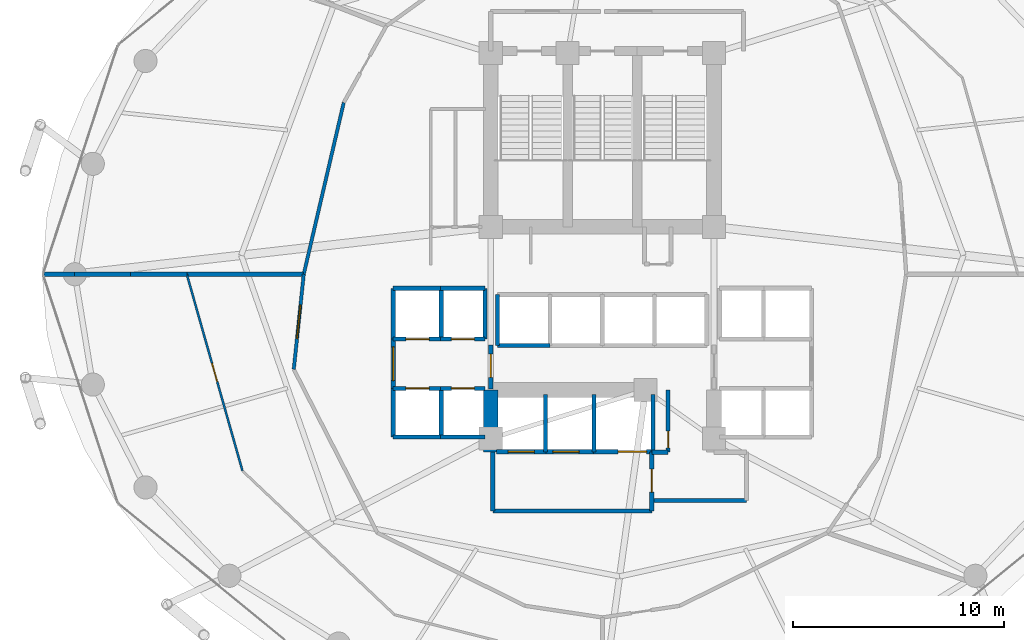
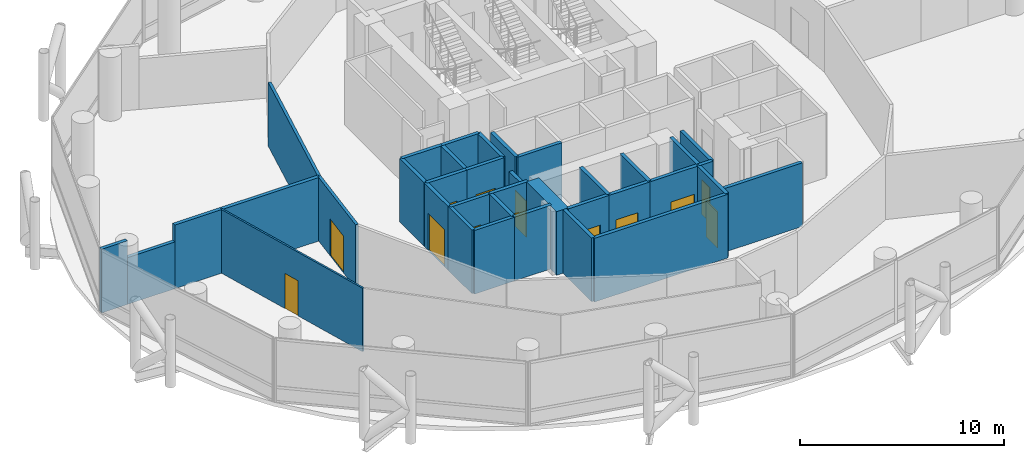
# One storey, part 21 of 24: 37 walls, 13 doors, 13 openings.
"""IFC4 building model written with IfcOpenShell, lengths in metres."""

from ifc_helpers import new_model, si_unit, direction, frame, frame_2d, origin, place, context, subcontext, project, spatial, rectangle, extrude, material, layer, layer_set, type_object, element, fill, save


model = new_model("IFC4")

# Units and contexts
model_context = context("Model", 3, precision=1e-05, world=origin(), true_north=direction((0.0, 1.0)))
body_context = subcontext(model_context, "Body", "Model", "MODEL_VIEW")
ifc_project = project(units=[si_unit("LENGTHUNIT", "METRE"), si_unit("AREAUNIT", "SQUARE_METRE"), si_unit("VOLUMEUNIT", "CUBIC_METRE"), si_unit("PLANEANGLEUNIT", "RADIAN"), si_unit("MASSUNIT", "GRAM", prefix="KILO")], contexts=[model_context])

# Site, building, storey
site_placement = place(None, origin())
site = spatial("IfcSite", under=ifc_project, at=site_placement, CompositionType="ELEMENT")
building_placement = place(site_placement, origin())
building = spatial("IfcBuilding", under=site, at=building_placement, Name="Nuhasar Tower", CompositionType="ELEMENT")
storey_placement = place(building_placement, frame((0.0, 0.0, 77.699951171875)))
storey = spatial("IfcBuildingStorey", under=building, at=storey_placement, Name="L18", CompositionType="ELEMENT", Elevation=77.699951171875)

# Walls
ifc_material_1 = material(Name="Concrete C65/80", Category="concrete")
ifc_layer_1 = layer(ifc_material_1, 0.699951171875)
ifc_layer_set_1 = layer_set([ifc_layer_1], Name="Concrete C65/80")
wall_type_1 = type_object("IfcWallType", Name="WL-CORE-700", PredefinedType="SHEAR", material=ifc_layer_set_1)
wall_1_placement = place(storey_placement, frame((33.699951171875, 18.35009765625, 0.0), z_axis=(0.0, 0.0, 1.0), x_axis=(0.0, 1.0, 0.0)))
element("IfcWall", 1, at=wall_1_placement, inside=storey, type_object=wall_type_1, Name="L18 Core Shear Wall CW-SW CW-700", PredefinedType="SHEAR", context=body_context, shape_type="SweptSolid", body=[
    extrude(rectangle(XDim=2.949951171875, YDim=0.699951171875, at=frame_2d((1.47509765625, 0.0))), origin(), (0.0, 0.0, 1.0), 3.800048828125),
])
ifc_material_2 = material(Name="Gypsum Board", Category="gypsum")
ifc_layer_2 = layer(ifc_material_2, 0.159912109375)
ifc_layer_set_2 = layer_set([ifc_layer_2], Name="Gypsum Board")
wall_type_2 = type_object("IfcWallType", Name="WL-CORR-160", PredefinedType="PARTITIONING", material=ifc_layer_set_2)
wall_2_placement = place(storey_placement, frame((26.719970703125, 34.949951171875, 0.0), z_axis=(0.0, 0.0, 1.0), x_axis=(-0.227032248212, -0.973887241046, 0.0)))
element("IfcWall", 2, at=wall_2_placement, inside=storey, type_object=wall_type_2, Name="L18 Interior Partition CORR-20", PredefinedType="PARTITIONING", context=body_context, shape_type="SweptSolid", body=[
    extrude(rectangle(XDim=8.368408203125, YDim=0.159912109375, at=frame_2d((4.18408203125, 0.0))), origin(), (0.0, 0.0, 1.0), 3.800048828125),
])

# Wall, opening, door
wall_3_placement = place(storey_placement, frame((24.346923828125, 22.287109375, 0.0), z_axis=(0.0, 0.0, 1.0), x_axis=(0.10427027099, 0.994548998586, 0.0)))
wall_3 = element("IfcWall", 3, at=wall_3_placement, inside=storey, type_object=wall_type_2, Name="L18 Interior Partition CORR-24", PredefinedType="PARTITIONING", context=body_context, shape_type="SweptSolid", body=[
    extrude(rectangle(XDim=4.53759765625, YDim=0.159912109375, at=frame_2d((2.268798828125, 0.0))), origin(), (0.0, 0.0, 1.0), 3.800048828125),
])
opening_1_placement = place(wall_3_placement, frame((1.468994140625, 0.0, 0.0)))
opening_1 = element("IfcOpeningElement", 4, at=opening_1_placement, cuts=wall_3, Name="Opening DC-01", PredefinedType="OPENING", context=body_context, shape_type="SweptSolid", body=[
    extrude(rectangle(XDim=1.60009765625, YDim=2.199951171875, at=frame_2d((0.800048828125, 1.10009765625))), frame((0.0, 0.08984375, 0.0), z_axis=(0.0, -1.0, 0.0), x_axis=(1.0, 0.0, 0.0)), (0.0, 0.0, 1.0), 0.179931640625),
])
ifc_material_3 = material(Name="Steel S355", Category="steel")
door_type_1 = type_object("IfcDoorType", Name="DR-CORR-FD60-1600", OperationType="DOUBLE_DOOR_SINGLE_SWING", PredefinedType="DOOR", material=ifc_material_3)
door_1_placement = place(opening_1_placement, origin())
door_1 = element("IfcDoor", 5, at=door_1_placement, inside=storey, type_object=door_type_1, Name="L18 West Software Engineering Office Entry Door", OperationType="DOUBLE_DOOR_SINGLE_SWING", OverallHeight=2.199951171875, OverallWidth=1.60009765625, PredefinedType="DOOR", context=body_context, shape_type="SweptSolid", body=[
    extrude(rectangle(XDim=1.60009765625, YDim=2.199951171875, at=frame_2d((0.800048828125, 1.10009765625))), frame((0.0, 0.02490234375, 0.0), z_axis=(0.0, -1.0, 0.0), x_axis=(1.0, 0.0, 0.0)), (0.0, 0.0, 1.0), 0.050048828125),
])
fill(opening_1, door_1)

ifc_material_4 = material(Name="Concrete C45/55", Category="concrete")
ifc_layer_3 = layer(ifc_material_4, 0.199951171875)
ifc_layer_set_3 = layer_set([ifc_layer_3], Name="Concrete C45/55")
wall_type_3 = type_object("IfcWallType", Name="WL-LOBBY-200", PredefinedType="SOLIDWALL", material=ifc_layer_set_3)
wall_4_placement = place(storey_placement, frame((29.070068359375, 21.3798828125, 0.0), z_axis=(0.0, 0.0, 1.0), x_axis=(0.0, 1.0, 0.0)))
wall_4 = element("IfcWall", 6, at=wall_4_placement, inside=storey, type_object=wall_type_3, Name="L18 Interior Partition LLBL-W", PredefinedType="SOLIDWALL", context=body_context, shape_type="SweptSolid", body=[
    extrude(rectangle(XDim=2.340087890625, YDim=0.199951171875, at=frame_2d((1.169921875, 0.0))), origin(), (0.0, 0.0, 1.0), 3.800048828125),
])
opening_2_placement = place(wall_4_placement, frame((0.3701171875, 0.0, 0.0)))
opening_2 = element("IfcOpeningElement", 7, at=opening_2_placement, cuts=wall_4, Name="Opening DC-01", PredefinedType="OPENING", context=body_context, shape_type="SweptSolid", body=[
    extrude(rectangle(XDim=1.60009765625, YDim=2.199951171875, at=frame_2d((0.800048828125, 1.10009765625))), frame((0.0, 0.10986328125, 0.0), z_axis=(0.0, -1.0, 0.0), x_axis=(1.0, 0.0, 0.0)), (0.0, 0.0, 1.0), 0.219970703125),
])
door_2_placement = place(opening_2_placement, origin())
door_2 = element("IfcDoor", 8, at=door_2_placement, inside=storey, type_object=door_type_1, Name="L18 Low-Rise Lift Lobby West Entry", OperationType="DOUBLE_DOOR_SINGLE_SWING", OverallHeight=2.199951171875, OverallWidth=1.60009765625, PredefinedType="DOOR", context=body_context, shape_type="SweptSolid", body=[
    extrude(rectangle(XDim=1.60009765625, YDim=2.199951171875, at=frame_2d((0.800048828125, 1.10009765625))), frame((0.0, 0.02490234375, 0.0), z_axis=(0.0, -1.0, 0.0), x_axis=(1.0, 0.0, 0.0)), (0.0, 0.0, 1.0), 0.050048828125),
])
fill(opening_2, door_2)

wall_5_placement = place(storey_placement, frame((33.699951171875, 21.35009765625, 0.0), z_axis=(0.0, 0.0, 1.0), x_axis=(0.0, 1.0, 0.0)))
wall_5 = element("IfcWall", 9, at=wall_5_placement, inside=storey, type_object=wall_type_3, Name="L18 Interior Partition LLBH-W", PredefinedType="SOLIDWALL", context=body_context, shape_type="SweptSolid", body=[
    extrude(rectangle(XDim=2.099853515625, YDim=0.199951171875, at=frame_2d((1.0498046875, 0.0))), origin(), (0.0, 0.0, 1.0), 3.02001953125),
])
opening_3_placement = place(wall_5_placement, frame((0.550048828125, 0.0, 0.0)))
opening_3 = element("IfcOpeningElement", 10, at=opening_3_placement, cuts=wall_5, Name="Opening DS-02", PredefinedType="OPENING", context=body_context, shape_type="SweptSolid", body=[
    extrude(rectangle(XDim=1.10009765625, YDim=2.14990234375, at=frame_2d((0.550048828125, 1.074951171875))), frame((0.0, 0.10986328125, 0.0), z_axis=(0.0, -1.0, 0.0), x_axis=(1.0, 0.0, 0.0)), (0.0, 0.0, 1.0), 0.219970703125),
])
door_type_2 = type_object("IfcDoorType", Name="DR-FFL-FD120-1100", OperationType="NOTDEFINED", PredefinedType="DOOR", material=ifc_material_3)
door_3_placement = place(opening_3_placement, origin())
door_3 = element("IfcDoor", 11, at=door_3_placement, inside=storey, type_object=door_type_2, Name="L18 High-Rise Lobby West Door", OperationType="SINGLE_SWING_RIGHT", OverallHeight=2.14990234375, OverallWidth=1.10009765625, PredefinedType="DOOR", context=body_context, shape_type="SweptSolid", body=[
    extrude(rectangle(XDim=1.10009765625, YDim=2.14990234375, at=frame_2d((0.550048828125, 1.074951171875))), frame((0.0, 0.02490234375, 0.0), z_axis=(0.0, -1.0, 0.0), x_axis=(1.0, 0.0, 0.0)), (0.0, 0.0, 1.0), 0.050048828125),
])
fill(opening_3, door_3)

# Walls
wall_6_placement = place(storey_placement, frame((33.800048828125, 15.550048828125, 0.0), z_axis=(0.0, 0.0, 1.0), x_axis=(1.0, 0.0, 0.0)))
element("IfcWall", 12, at=wall_6_placement, inside=storey, type_object=wall_type_3, Name="L18 Interior Partition FFL-S", PredefinedType="SOLIDWALL", context=body_context, shape_type="SweptSolid", body=[
    extrude(rectangle(XDim=7.550048828125, YDim=0.199951171875, at=frame_2d((3.77490234375, 0.0))), origin(), (0.0, 0.0, 1.0), 3.800048828125),
])
wall_7_placement = place(storey_placement, frame((33.800048828125, 15.550048828125, 0.0), z_axis=(0.0, 0.0, 1.0), x_axis=(0.0, 1.0, 0.0)))
element("IfcWall", 13, at=wall_7_placement, inside=storey, type_object=wall_type_3, Name="L18 Interior Partition FFL-W", PredefinedType="SOLIDWALL", context=body_context, shape_type="SweptSolid", body=[
    extrude(rectangle(XDim=2.800048828125, YDim=0.199951171875, at=frame_2d((1.39990234375, 0.0))), origin(), (0.0, 0.0, 1.0), 3.800048828125),
])

# Wall, opening, door
wall_8_placement = place(storey_placement, frame((41.35009765625, 15.550048828125, 0.0), z_axis=(0.0, 0.0, 1.0), x_axis=(0.0, 1.0, 0.0)))
wall_8 = element("IfcWall", 14, at=wall_8_placement, inside=storey, type_object=wall_type_3, Name="L18 Interior Partition FFL-E", PredefinedType="SOLIDWALL", context=body_context, shape_type="SweptSolid", body=[
    extrude(rectangle(XDim=2.800048828125, YDim=0.199951171875, at=frame_2d((1.39990234375, 0.0))), origin(), (0.0, 0.0, 1.0), 3.800048828125),
])
opening_4_placement = place(wall_8_placement, frame((0.89990234375, 0.0, 0.0)))
opening_4 = element("IfcOpeningElement", 15, at=opening_4_placement, cuts=wall_8, Name="Opening DS-02", PredefinedType="OPENING", context=body_context, shape_type="SweptSolid", body=[
    extrude(rectangle(XDim=1.10009765625, YDim=2.14990234375, at=frame_2d((0.550048828125, 1.074951171875))), frame((0.0, 0.10986328125, 0.0), z_axis=(0.0, -1.0, 0.0), x_axis=(1.0, 0.0, 0.0)), (0.0, 0.0, 1.0), 0.219970703125),
])
door_4_placement = place(opening_4_placement, origin())
door_4 = element("IfcDoor", 16, at=door_4_placement, inside=storey, type_object=door_type_2, Name="L18 Firefighting Lobby Door", OperationType="SINGLE_SWING_RIGHT", OverallHeight=2.14990234375, OverallWidth=1.10009765625, PredefinedType="DOOR", context=body_context, shape_type="SweptSolid", body=[
    extrude(rectangle(XDim=1.10009765625, YDim=2.14990234375, at=frame_2d((0.550048828125, 1.074951171875))), frame((0.0, 0.02490234375, 0.0), z_axis=(0.0, -1.0, 0.0), x_axis=(1.0, 0.0, 0.0)), (0.0, 0.0, 1.0), 0.050048828125),
])
fill(opening_4, door_4)

# Wall
wall_9_placement = place(storey_placement, frame((41.35009765625, 16.050048828125, 0.0), z_axis=(0.0, 0.0, 1.0), x_axis=(1.0, 0.0, 0.0)))
element("IfcWall", 17, at=wall_9_placement, inside=storey, type_object=wall_type_3, Name="L18 Interior Partition SVLV-S", PredefinedType="SOLIDWALL", context=body_context, shape_type="SweptSolid", body=[
    extrude(rectangle(XDim=4.5, YDim=0.199951171875, at=frame_2d((2.25, 0.0))), origin(), (0.0, 0.0, 1.0), 3.800048828125),
])

# Wall, opening, door
ifc_material_5 = material(Name="Aluminium 6063-T6", Category="aluminium")
ifc_layer_4 = layer(ifc_material_5, 0.10009765625)
ifc_layer_set_4 = layer_set([ifc_layer_4], Name="Aluminium 6063-T6")
wall_type_4 = type_object("IfcWallType", Name="WL-MOVABLE-100", PredefinedType="MOVABLE", material=ifc_layer_set_4)
wall_10_placement = place(storey_placement, frame((21.909912109375, 17.465087890625, 0.0), z_axis=(0.0, 0.0, 1.0), x_axis=(-0.272496972851, 0.962156639943, 0.0)))
wall_10 = element("IfcWall", 18, at=wall_10_placement, inside=storey, type_object=wall_type_4, Name="L18 Interior Partition OMID-04-24", PredefinedType="MOVABLE", context=body_context, shape_type="SweptSolid", body=[
    extrude(rectangle(XDim=9.7021484375, YDim=0.10009765625, at=frame_2d((4.85107421875, 0.0))), origin(), (0.0, 0.0, 1.0), 3.800048828125),
])
opening_5_placement = place(wall_10_placement, frame((4.40087890625, 0.0, 0.0)))
opening_5 = element("IfcOpeningElement", 19, at=opening_5_placement, cuts=wall_10, Name="Opening DR-01", PredefinedType="OPENING", context=body_context, shape_type="SweptSolid", body=[
    extrude(rectangle(XDim=0.89990234375, YDim=2.10009765625, at=frame_2d((0.449951171875, 1.050048828125))), frame((0.0, 0.06005859375, 0.0), z_axis=(0.0, -1.0, 0.0), x_axis=(1.0, 0.0, 0.0)), (0.0, 0.0, 1.0), 0.1201171875),
])
ifc_material_6 = material(Name="Timber Oak", Category="wood")
door_type_3 = type_object("IfcDoorType", Name="DR-ROOM-900", OperationType="NOTDEFINED", PredefinedType="DOOR", material=ifc_material_6)
door_5_placement = place(opening_5_placement, origin())
door_5 = element("IfcDoor", 20, at=door_5_placement, inside=storey, type_object=door_type_3, Name="L18 West Software Engineering Office Inner Door", OperationType="SINGLE_SWING_RIGHT", OverallHeight=2.10009765625, OverallWidth=0.89990234375, PredefinedType="DOOR", context=body_context, shape_type="SweptSolid", body=[
    extrude(rectangle(XDim=0.89990234375, YDim=2.10009765625, at=frame_2d((0.449951171875, 1.050048828125))), frame((0.0, 0.02490234375, 0.0), z_axis=(0.0, -1.0, 0.0), x_axis=(1.0, 0.0, 0.0)), (0.0, 0.0, 1.0), 0.050048828125),
])
fill(opening_5, door_5)

ifc_layer_5 = layer(ifc_material_4, 0.199951171875)
ifc_layer_set_5 = layer_set([ifc_layer_5], Name="Concrete C45/55")
wall_type_5 = type_object("IfcWallType", Name="WL-SHAFT-200", PredefinedType="SOLIDWALL", material=ifc_layer_set_5)
wall_11_placement = place(storey_placement, frame((29.070068359375, 23.719970703125, 0.0), z_axis=(0.0, 0.0, 1.0), x_axis=(1.0, 0.0, 0.0)))
wall_11 = element("IfcWall", 21, at=wall_11_placement, inside=storey, type_object=wall_type_5, Name="L18 Interior Partition SHF-PL-L01-S", PredefinedType="SOLIDWALL", context=body_context, shape_type="SweptSolid", body=[
    extrude(rectangle(XDim=2.309814453125, YDim=0.199951171875, at=frame_2d((1.15478515625, 0.0))), origin(), (0.0, 0.0, 1.0), 3.800048828125),
])
opening_6_placement = place(wall_11_placement, frame((0.60498046875, 0.0, 0.0)))
opening_6 = element("IfcOpeningElement", 22, at=opening_6_placement, cuts=wall_11, Name="Opening LD-L01", PredefinedType="OPENING", context=body_context, shape_type="SweptSolid", body=[
    extrude(rectangle(XDim=1.10009765625, YDim=2.14990234375, at=frame_2d((0.550048828125, 1.074951171875))), frame((0.0, 0.10986328125, 0.0), z_axis=(0.0, -1.0, 0.0), x_axis=(1.0, 0.0, 0.0)), (0.0, 0.0, 1.0), 0.219970703125),
])
ifc_material_7 = material(Name="Stainless Steel 316L", Category="steel")
door_type_4 = type_object("IfcDoorType", Name="LD-PAX-1100", OperationType="DOUBLE_DOOR_SLIDING", PredefinedType="DOOR", material=ifc_material_7)
door_6_placement = place(opening_6_placement, origin())
door_6 = element("IfcDoor", 23, at=door_6_placement, inside=storey, type_object=door_type_4, Name="L18 Lift Landing Door PL-L01", OperationType="DOUBLE_DOOR_SLIDING", OverallHeight=2.14990234375, OverallWidth=1.10009765625, PredefinedType="DOOR", context=body_context, shape_type="SweptSolid", body=[
    extrude(rectangle(XDim=1.10009765625, YDim=2.14990234375, at=frame_2d((0.550048828125, 1.074951171875))), frame((0.0, 0.02490234375, 0.0), z_axis=(0.0, -1.0, 0.0), x_axis=(1.0, 0.0, 0.0)), (0.0, 0.0, 1.0), 0.050048828125),
])
fill(opening_6, door_6)

# Walls
wall_12_placement = place(storey_placement, frame((29.070068359375, 26.1298828125, 0.0), z_axis=(0.0, 0.0, 1.0), x_axis=(1.0, 0.0, 0.0)))
element("IfcWall", 24, at=wall_12_placement, inside=storey, type_object=wall_type_5, Name="L18 Interior Partition SHF-PL-L01-N", PredefinedType="SOLIDWALL", context=body_context, shape_type="SweptSolid", body=[
    extrude(rectangle(XDim=2.309814453125, YDim=0.199951171875, at=frame_2d((1.15478515625, 0.0))), origin(), (0.0, 0.0, 1.0), 3.800048828125),
])
for number, where, z_axis, x_axis, name in (
    (25, (29.070068359375, 23.719970703125, 0.0), (0.0, 0.0, 1.0), (0.0, 1.0, 0.0), "L18 Interior Partition SHF-PL-L01-W"),
    (26, (31.35009765625, 23.719970703125, 0.0), (0.0, 0.0, 1.0), (0.0, 1.0, 0.0), "L18 Interior Partition SHF-PL-L01-E"),
):
    element("IfcWall", number, at=place(storey_placement, frame(where, z_axis=z_axis, x_axis=x_axis)), inside=storey, type_object=wall_type_5, Name=name, PredefinedType="SOLIDWALL", context=body_context, shape_type="SweptSolid", body=[
        extrude(rectangle(XDim=2.409912109375, YDim=0.199951171875, at=frame_2d((1.205078125, 0.0))), origin(), (0.0, 0.0, 1.0), 3.800048828125),
    ])

# Wall, opening, door
wall_13_placement = place(storey_placement, frame((31.320068359375, 23.719970703125, 0.0), z_axis=(0.0, 0.0, 1.0), x_axis=(1.0, 0.0, 0.0)))
wall_13 = element("IfcWall", 27, at=wall_13_placement, inside=storey, type_object=wall_type_5, Name="L18 Interior Partition SHF-PL-L02-S", PredefinedType="SOLIDWALL", context=body_context, shape_type="SweptSolid", body=[
    extrude(rectangle(XDim=2.10986328125, YDim=0.199951171875, at=frame_2d((1.054931640625, 0.0))), origin(), (0.0, 0.0, 1.0), 3.800048828125),
])
opening_7_placement = place(wall_13_placement, frame((0.5048828125, 0.0, 0.0)))
opening_7 = element("IfcOpeningElement", 28, at=opening_7_placement, cuts=wall_13, Name="Opening LD-L02", PredefinedType="OPENING", context=body_context, shape_type="SweptSolid", body=[
    extrude(rectangle(XDim=1.10009765625, YDim=2.14990234375, at=frame_2d((0.550048828125, 1.074951171875))), frame((0.0, 0.10986328125, 0.0), z_axis=(0.0, -1.0, 0.0), x_axis=(1.0, 0.0, 0.0)), (0.0, 0.0, 1.0), 0.219970703125),
])
door_7_placement = place(opening_7_placement, origin())
door_7 = element("IfcDoor", 29, at=door_7_placement, inside=storey, type_object=door_type_4, Name="L18 Lift Landing Door PL-L02", OperationType="DOUBLE_DOOR_SLIDING", OverallHeight=2.14990234375, OverallWidth=1.10009765625, PredefinedType="DOOR", context=body_context, shape_type="SweptSolid", body=[
    extrude(rectangle(XDim=1.10009765625, YDim=2.14990234375, at=frame_2d((0.550048828125, 1.074951171875))), frame((0.0, 0.02490234375, 0.0), z_axis=(0.0, -1.0, 0.0), x_axis=(1.0, 0.0, 0.0)), (0.0, 0.0, 1.0), 0.050048828125),
])
fill(opening_7, door_7)

# Walls
wall_14_placement = place(storey_placement, frame((31.320068359375, 26.1298828125, 0.0), z_axis=(0.0, 0.0, 1.0), x_axis=(1.0, 0.0, 0.0)))
element("IfcWall", 30, at=wall_14_placement, inside=storey, type_object=wall_type_5, Name="L18 Interior Partition SHF-PL-L02-N", PredefinedType="SOLIDWALL", context=body_context, shape_type="SweptSolid", body=[
    extrude(rectangle(XDim=2.10986328125, YDim=0.199951171875, at=frame_2d((1.054931640625, 0.0))), origin(), (0.0, 0.0, 1.0), 3.800048828125),
])
wall_15_placement = place(storey_placement, frame((33.429931640625, 23.719970703125, 0.0), z_axis=(0.0, 0.0, 1.0), x_axis=(0.0, 1.0, 0.0)))
element("IfcWall", 31, at=wall_15_placement, inside=storey, type_object=wall_type_5, Name="L18 Interior Partition SHF-PL-L02-E", PredefinedType="SOLIDWALL", context=body_context, shape_type="SweptSolid", body=[
    extrude(rectangle(XDim=2.409912109375, YDim=0.199951171875, at=frame_2d((1.205078125, 0.0))), origin(), (0.0, 0.0, 1.0), 3.800048828125),
])
wall_16_placement = place(storey_placement, frame((29.070068359375, 19.070068359375, 0.0), z_axis=(0.0, 0.0, 1.0), x_axis=(1.0, 0.0, 0.0)))
element("IfcWall", 32, at=wall_16_placement, inside=storey, type_object=wall_type_5, Name="L18 Interior Partition SHF-PL-L03-S", PredefinedType="SOLIDWALL", context=body_context, shape_type="SweptSolid", body=[
    extrude(rectangle(XDim=2.309814453125, YDim=0.199951171875, at=frame_2d((1.15478515625, 0.0))), origin(), (0.0, 0.0, 1.0), 3.800048828125),
])

# Wall, opening, door
wall_17_placement = place(storey_placement, frame((29.070068359375, 21.3798828125, 0.0), z_axis=(0.0, 0.0, 1.0), x_axis=(1.0, 0.0, 0.0)))
wall_17 = element("IfcWall", 33, at=wall_17_placement, inside=storey, type_object=wall_type_5, Name="L18 Interior Partition SHF-PL-L03-N", PredefinedType="SOLIDWALL", context=body_context, shape_type="SweptSolid", body=[
    extrude(rectangle(XDim=2.309814453125, YDim=0.199951171875, at=frame_2d((1.15478515625, 0.0))), origin(), (0.0, 0.0, 1.0), 3.800048828125),
])
opening_8_placement = place(wall_17_placement, frame((0.60498046875, 0.0, 0.0)))
opening_8 = element("IfcOpeningElement", 34, at=opening_8_placement, cuts=wall_17, Name="Opening LD-L03", PredefinedType="OPENING", context=body_context, shape_type="SweptSolid", body=[
    extrude(rectangle(XDim=1.10009765625, YDim=2.14990234375, at=frame_2d((0.550048828125, 1.074951171875))), frame((0.0, 0.10986328125, 0.0), z_axis=(0.0, -1.0, 0.0), x_axis=(1.0, 0.0, 0.0)), (0.0, 0.0, 1.0), 0.219970703125),
])
door_8_placement = place(opening_8_placement, origin())
door_8 = element("IfcDoor", 35, at=door_8_placement, inside=storey, type_object=door_type_4, Name="L18 Lift Landing Door PL-L03", OperationType="DOUBLE_DOOR_SLIDING", OverallHeight=2.14990234375, OverallWidth=1.10009765625, PredefinedType="DOOR", context=body_context, shape_type="SweptSolid", body=[
    extrude(rectangle(XDim=1.10009765625, YDim=2.14990234375, at=frame_2d((0.550048828125, 1.074951171875))), frame((0.0, 0.02490234375, 0.0), z_axis=(0.0, -1.0, 0.0), x_axis=(1.0, 0.0, 0.0)), (0.0, 0.0, 1.0), 0.050048828125),
])
fill(opening_8, door_8)

# Walls
for number, where, z_axis, x_axis, name in (
    (36, (29.070068359375, 19.070068359375, 0.0), (0.0, 0.0, 1.0), (0.0, 1.0, 0.0), "L18 Interior Partition SHF-PL-L03-W"),
    (37, (31.35009765625, 19.070068359375, 0.0), (0.0, 0.0, 1.0), (0.0, 1.0, 0.0), "L18 Interior Partition SHF-PL-L03-E"),
):
    element("IfcWall", number, at=place(storey_placement, frame(where, z_axis=z_axis, x_axis=x_axis)), inside=storey, type_object=wall_type_5, Name=name, PredefinedType="SOLIDWALL", context=body_context, shape_type="SweptSolid", body=[
        extrude(rectangle(XDim=2.309814453125, YDim=0.199951171875, at=frame_2d((1.15478515625, 0.0))), origin(), (0.0, 0.0, 1.0), 3.800048828125),
    ])
wall_18_placement = place(storey_placement, frame((31.320068359375, 19.070068359375, 0.0), z_axis=(0.0, 0.0, 1.0), x_axis=(1.0, 0.0, 0.0)))
element("IfcWall", 38, at=wall_18_placement, inside=storey, type_object=wall_type_5, Name="L18 Interior Partition SHF-PL-L04-S", PredefinedType="SOLIDWALL", context=body_context, shape_type="SweptSolid", body=[
    extrude(rectangle(XDim=2.10986328125, YDim=0.199951171875, at=frame_2d((1.054931640625, 0.0))), origin(), (0.0, 0.0, 1.0), 3.800048828125),
])

# Wall, opening, door
wall_19_placement = place(storey_placement, frame((31.320068359375, 21.3798828125, 0.0), z_axis=(0.0, 0.0, 1.0), x_axis=(1.0, 0.0, 0.0)))
wall_19 = element("IfcWall", 39, at=wall_19_placement, inside=storey, type_object=wall_type_5, Name="L18 Interior Partition SHF-PL-L04-N", PredefinedType="SOLIDWALL", context=body_context, shape_type="SweptSolid", body=[
    extrude(rectangle(XDim=2.10986328125, YDim=0.199951171875, at=frame_2d((1.054931640625, 0.0))), origin(), (0.0, 0.0, 1.0), 3.800048828125),
])
opening_9_placement = place(wall_19_placement, frame((0.5048828125, 0.0, 0.0)))
opening_9 = element("IfcOpeningElement", 40, at=opening_9_placement, cuts=wall_19, Name="Opening LD-L04", PredefinedType="OPENING", context=body_context, shape_type="SweptSolid", body=[
    extrude(rectangle(XDim=1.10009765625, YDim=2.14990234375, at=frame_2d((0.550048828125, 1.074951171875))), frame((0.0, 0.10986328125, 0.0), z_axis=(0.0, -1.0, 0.0), x_axis=(1.0, 0.0, 0.0)), (0.0, 0.0, 1.0), 0.219970703125),
])
door_9_placement = place(opening_9_placement, origin())
door_9 = element("IfcDoor", 41, at=door_9_placement, inside=storey, type_object=door_type_4, Name="L18 Lift Landing Door PL-L04", OperationType="DOUBLE_DOOR_SLIDING", OverallHeight=2.14990234375, OverallWidth=1.10009765625, PredefinedType="DOOR", context=body_context, shape_type="SweptSolid", body=[
    extrude(rectangle(XDim=1.10009765625, YDim=2.14990234375, at=frame_2d((0.550048828125, 1.074951171875))), frame((0.0, 0.02490234375, 0.0), z_axis=(0.0, -1.0, 0.0), x_axis=(1.0, 0.0, 0.0)), (0.0, 0.0, 1.0), 0.050048828125),
])
fill(opening_9, door_9)

# Walls
wall_20_placement = place(storey_placement, frame((34.02001953125, 23.419921875, 0.0), z_axis=(0.0, 0.0, 1.0), x_axis=(1.0, 0.0, 0.0)))
element("IfcWall", 42, at=wall_20_placement, inside=storey, type_object=wall_type_5, Name="L18 Interior Partition SHF-PL-H01-S", PredefinedType="SOLIDWALL", context=body_context, shape_type="SweptSolid", body=[
    extrude(rectangle(XDim=2.5, YDim=0.199951171875, at=frame_2d((1.25, 0.0))), origin(), (0.0, 0.0, 1.0), 3.800048828125),
])
wall_21_placement = place(storey_placement, frame((34.02001953125, 23.419921875, 0.0), z_axis=(0.0, 0.0, 1.0), x_axis=(0.0, 1.0, 0.0)))
element("IfcWall", 43, at=wall_21_placement, inside=storey, type_object=wall_type_5, Name="L18 Interior Partition SHF-PL-H01-W", PredefinedType="SOLIDWALL", context=body_context, shape_type="SweptSolid", body=[
    extrude(rectangle(XDim=2.41015625, YDim=0.199951171875, at=frame_2d((1.205078125, 0.0))), origin(), (0.0, 0.0, 1.0), 3.800048828125),
])

# Wall, opening, door
wall_22_placement = place(storey_placement, frame((33.969970703125, 18.3701171875, 0.0), z_axis=(0.0, 0.0, 1.0), x_axis=(1.0, 0.0, 0.0)))
wall_22 = element("IfcWall", 44, at=wall_22_placement, inside=storey, type_object=wall_type_5, Name="L18 Interior Partition SHF-FFL-01-S", PredefinedType="SOLIDWALL", context=body_context, shape_type="SweptSolid", body=[
    extrude(rectangle(XDim=2.360107421875, YDim=0.199951171875, at=frame_2d((1.18017578125, 0.0))), origin(), (0.0, 0.0, 1.0), 3.800048828125),
])
opening_10_placement = place(wall_22_placement, frame((0.554931640625, 0.0, 0.0)))
opening_10 = element("IfcOpeningElement", 45, at=opening_10_placement, cuts=wall_22, Name="Opening LD-F01", PredefinedType="OPENING", context=body_context, shape_type="SweptSolid", body=[
    extrude(rectangle(XDim=1.25, YDim=2.199951171875, at=frame_2d((0.625, 1.10009765625))), frame((0.0, 0.10986328125, 0.0), z_axis=(0.0, -1.0, 0.0), x_axis=(1.0, 0.0, 0.0)), (0.0, 0.0, 1.0), 0.219970703125),
])
door_type_5 = type_object("IfcDoorType", Name="LD-FFL-1250", OperationType="DOUBLE_DOOR_SLIDING", PredefinedType="DOOR", material=ifc_material_7)
door_10_placement = place(opening_10_placement, origin())
door_10 = element("IfcDoor", 46, at=door_10_placement, inside=storey, type_object=door_type_5, Name="L18 Lift Landing Door FFL-01", OperationType="DOUBLE_DOOR_SLIDING", OverallHeight=2.199951171875, OverallWidth=1.25, PredefinedType="DOOR", context=body_context, shape_type="SweptSolid", body=[
    extrude(rectangle(XDim=1.25, YDim=2.199951171875, at=frame_2d((0.625, 1.10009765625))), frame((0.0, 0.02490234375, 0.0), z_axis=(0.0, -1.0, 0.0), x_axis=(1.0, 0.0, 0.0)), (0.0, 0.0, 1.0), 0.050048828125),
])
fill(opening_10, door_10)

# Wall
wall_23_placement = place(storey_placement, frame((36.300048828125, 18.3701171875, 0.0), z_axis=(0.0, 0.0, 1.0), x_axis=(0.0, 1.0, 0.0)))
element("IfcWall", 47, at=wall_23_placement, inside=storey, type_object=wall_type_5, Name="L18 Interior Partition SHF-FFL-01-E", PredefinedType="SOLIDWALL", context=body_context, shape_type="SweptSolid", body=[
    extrude(rectangle(XDim=2.7099609375, YDim=0.199951171875, at=frame_2d((1.35498046875, 0.0))), origin(), (0.0, 0.0, 1.0), 3.800048828125),
])

# Wall, opening, door
wall_24_placement = place(storey_placement, frame((36.27001953125, 18.3701171875, 0.0), z_axis=(0.0, 0.0, 1.0), x_axis=(1.0, 0.0, 0.0)))
wall_24 = element("IfcWall", 48, at=wall_24_placement, inside=storey, type_object=wall_type_5, Name="L18 Interior Partition SHF-FFL-02-S", PredefinedType="SOLIDWALL", context=body_context, shape_type="SweptSolid", body=[
    extrude(rectangle(XDim=2.35986328125, YDim=0.199951171875, at=frame_2d((1.179931640625, 0.0))), origin(), (0.0, 0.0, 1.0), 3.800048828125),
])
opening_11_placement = place(wall_24_placement, frame((0.3798828125, 0.0, 0.0)))
opening_11 = element("IfcOpeningElement", 49, at=opening_11_placement, cuts=wall_24, Name="Opening LD-F02", PredefinedType="OPENING", context=body_context, shape_type="SweptSolid", body=[
    extrude(rectangle(XDim=1.25, YDim=2.199951171875, at=frame_2d((0.625, 1.10009765625))), frame((0.0, 0.10986328125, 0.0), z_axis=(0.0, -1.0, 0.0), x_axis=(1.0, 0.0, 0.0)), (0.0, 0.0, 1.0), 0.219970703125),
])
door_11_placement = place(opening_11_placement, origin())
door_11 = element("IfcDoor", 50, at=door_11_placement, inside=storey, type_object=door_type_5, Name="L18 Lift Landing Door FFL-02", OperationType="DOUBLE_DOOR_SLIDING", OverallHeight=2.199951171875, OverallWidth=1.25, PredefinedType="DOOR", context=body_context, shape_type="SweptSolid", body=[
    extrude(rectangle(XDim=1.25, YDim=2.199951171875, at=frame_2d((0.625, 1.10009765625))), frame((0.0, 0.02490234375, 0.0), z_axis=(0.0, -1.0, 0.0), x_axis=(1.0, 0.0, 0.0)), (0.0, 0.0, 1.0), 0.050048828125),
])
fill(opening_11, door_11)

# Wall
wall_25_placement = place(storey_placement, frame((38.60009765625, 18.3701171875, 0.0), z_axis=(0.0, 0.0, 1.0), x_axis=(0.0, 1.0, 0.0)))
element("IfcWall", 51, at=wall_25_placement, inside=storey, type_object=wall_type_5, Name="L18 Interior Partition SHF-FFL-02-E", PredefinedType="SOLIDWALL", context=body_context, shape_type="SweptSolid", body=[
    extrude(rectangle(XDim=2.7099609375, YDim=0.199951171875, at=frame_2d((1.35498046875, 0.0))), origin(), (0.0, 0.0, 1.0), 3.800048828125),
])

# Wall, opening, door
wall_26_placement = place(storey_placement, frame((38.570068359375, 18.3701171875, 0.0), z_axis=(0.0, 0.0, 1.0), x_axis=(1.0, 0.0, 0.0)))
wall_26 = element("IfcWall", 52, at=wall_26_placement, inside=storey, type_object=wall_type_5, Name="L18 Interior Partition SHF-SVL-01-S", PredefinedType="SOLIDWALL", context=body_context, shape_type="SweptSolid", body=[
    extrude(rectangle(XDim=2.829833984375, YDim=0.199951171875, at=frame_2d((1.4150390625, 0.0))), origin(), (0.0, 0.0, 1.0), 3.800048828125),
])
opening_12_placement = place(wall_26_placement, frame((1.179931640625, 0.0, 0.0)))
opening_12 = element("IfcOpeningElement", 53, at=opening_12_placement, cuts=wall_26, Name="Opening LD-S01", PredefinedType="OPENING", context=body_context, shape_type="SweptSolid", body=[
    extrude(rectangle(XDim=1.35009765625, YDim=2.179931640625, at=frame_2d((0.675048828125, 1.08984375))), frame((0.0, 0.10986328125, 0.0), z_axis=(0.0, -1.0, 0.0), x_axis=(1.0, 0.0, 0.0)), (0.0, 0.0, 1.0), 0.219970703125),
])
door_type_6 = type_object("IfcDoorType", Name="LD-SVL-1350", OperationType="DOUBLE_DOOR_SLIDING", PredefinedType="DOOR", material=ifc_material_7)
door_12_placement = place(opening_12_placement, origin())
door_12 = element("IfcDoor", 54, at=door_12_placement, inside=storey, type_object=door_type_6, Name="L18 Lift Landing Door SVL-01", OperationType="DOUBLE_DOOR_SLIDING", OverallHeight=2.179931640625, OverallWidth=1.35009765625, PredefinedType="DOOR", context=body_context, shape_type="SweptSolid", body=[
    extrude(rectangle(XDim=1.35009765625, YDim=2.179931640625, at=frame_2d((0.675048828125, 1.08984375))), frame((0.0, 0.02490234375, 0.0), z_axis=(0.0, -1.0, 0.0), x_axis=(1.0, 0.0, 0.0)), (0.0, 0.0, 1.0), 0.050048828125),
])
fill(opening_12, door_12)

# Wall
wall_27_placement = place(storey_placement, frame((41.39990234375, 18.3701171875, 0.0), z_axis=(0.0, 0.0, 1.0), x_axis=(0.0, 1.0, 0.0)))
element("IfcWall", 55, at=wall_27_placement, inside=storey, type_object=wall_type_5, Name="L18 Interior Partition SHF-SVL-01-E", PredefinedType="SOLIDWALL", context=body_context, shape_type="SweptSolid", body=[
    extrude(rectangle(XDim=2.7099609375, YDim=0.199951171875, at=frame_2d((1.35498046875, 0.0))), origin(), (0.0, 0.0, 1.0), 3.800048828125),
])

# Wall, opening, door
wall_28_placement = place(storey_placement, frame((42.1201171875, 18.35009765625, 0.0), z_axis=(0.0, 0.0, 1.0), x_axis=(0.0, 1.0, 0.0)))
wall_28 = element("IfcWall", 56, at=wall_28_placement, inside=storey, type_object=wall_type_5, Name="L18 Interior Partition RSR-E", PredefinedType="SOLIDWALL", context=body_context, shape_type="SweptSolid", body=[
    extrude(rectangle(XDim=2.949951171875, YDim=0.199951171875, at=frame_2d((1.47509765625, 0.0))), origin(), (0.0, 0.0, 1.0), 3.800048828125),
])
opening_13_placement = place(wall_28_placement, frame((0.199951171875, 0.0, 0.0)))
opening_13 = element("IfcOpeningElement", 57, at=opening_13_placement, cuts=wall_28, Name="Opening DM-01", PredefinedType="OPENING", context=body_context, shape_type="SweptSolid", body=[
    extrude(rectangle(XDim=0.800048828125, YDim=2.050048828125, at=frame_2d((0.39990234375, 1.02490234375))), frame((0.0, 0.10986328125, 0.0), z_axis=(0.0, -1.0, 0.0), x_axis=(1.0, 0.0, 0.0)), (0.0, 0.0, 1.0), 0.219970703125),
])
door_type_7 = type_object("IfcDoorType", Name="DR-RISER-FD60-800", OperationType="NOTDEFINED", PredefinedType="DOOR", material=ifc_material_3)
door_13_placement = place(opening_13_placement, origin())
door_13 = element("IfcDoor", 58, at=door_13_placement, inside=storey, type_object=door_type_7, Name="L18 MEP Riser Access Door", OperationType="SINGLE_SWING_LEFT", OverallHeight=2.050048828125, OverallWidth=0.800048828125, PredefinedType="DOOR", context=body_context, shape_type="SweptSolid", body=[
    extrude(rectangle(XDim=0.800048828125, YDim=2.050048828125, at=frame_2d((0.39990234375, 1.02490234375))), frame((0.0, 0.02490234375, 0.0), z_axis=(0.0, -1.0, 0.0), x_axis=(1.0, 0.0, 0.0)), (0.0, 0.0, 1.0), 0.050048828125),
])
fill(opening_13, door_13)

# Walls
wall_29_placement = place(storey_placement, frame((41.35009765625, 18.35009765625, 0.0), z_axis=(0.0, 0.0, 1.0), x_axis=(1.0, 0.0, 0.0)))
element("IfcWall", 59, at=wall_29_placement, inside=storey, type_object=wall_type_5, Name="L18 Interior Partition RSR-S", PredefinedType="SOLIDWALL", context=body_context, shape_type="SweptSolid", body=[
    extrude(rectangle(XDim=0.77001953125, YDim=0.199951171875, at=frame_2d((0.385009765625, 0.0))), origin(), (0.0, 0.0, 1.0), 3.800048828125),
])
ifc_material_8 = material(Name="Concrete C40/50 precast", Category="concrete")
ifc_layer_6 = layer(ifc_material_8, 0.199951171875)
ifc_layer_set_6 = layer_set([ifc_layer_6], Name="Concrete C40/50 precast")
wall_type_6 = type_object("IfcWallType", Name="WL-UNIT-200", PredefinedType="PARTITIONING", material=ifc_layer_set_6)
wall_30_placement = place(storey_placement, frame((24.820068359375, 26.800048828125, 0.0), z_axis=(0.0, 0.0, 1.0), x_axis=(-1.0, 0.0, 0.0)))
element("IfcWall", 60, at=wall_30_placement, inside=storey, type_object=wall_type_6, Name="L18 Interior Partition ORAD-24-S1", PredefinedType="PARTITIONING", context=body_context, shape_type="SweptSolid", body=[
    extrude(rectangle(XDim=5.553955078125, YDim=0.199951171875, at=frame_2d((2.77685546875, 0.0))), origin(), (0.0, 0.0, 1.0), 3.800048828125),
])
wall_31_placement = place(storey_placement, frame((19.26611328125, 26.800048828125, 0.0), z_axis=(0.0, 0.0, 1.0), x_axis=(-1.0, 0.0, 0.0)))
element("IfcWall", 61, at=wall_31_placement, inside=storey, type_object=wall_type_6, Name="L18 Interior Partition ORAD-24-S2", PredefinedType="PARTITIONING", context=body_context, shape_type="SweptSolid", body=[
    extrude(rectangle(XDim=2.6669921875, YDim=0.199951171875, at=frame_2d((1.33349609375, 0.0))), origin(), (0.0, 0.0, 1.0), 3.800048828125),
])
wall_32_placement = place(storey_placement, frame((16.59912109375, 26.800048828125, 0.0), z_axis=(0.0, 0.0, 1.0), x_axis=(-1.0, 0.0, 0.0)))
element("IfcWall", 62, at=wall_32_placement, inside=storey, type_object=wall_type_6, Name="L18 Interior Partition ORAD-24-S2", PredefinedType="PARTITIONING", context=body_context, shape_type="SweptSolid", body=[
    extrude(rectangle(XDim=2.66015625, YDim=0.199951171875, at=frame_2d((1.330078125, 0.0))), origin(), (0.0, 0.0, 1.0), 2.7900390625),
])
wall_33_placement = place(storey_placement, frame((13.93896484375, 26.800048828125, 0.0), z_axis=(0.0, 0.0, 1.0), x_axis=(-1.0, 0.0, 0.0)))
element("IfcWall", 63, at=wall_33_placement, inside=storey, type_object=wall_type_6, Name="L18 Interior Partition ORAD-24-S2", PredefinedType="PARTITIONING", context=body_context, shape_type="SweptSolid", body=[
    extrude(rectangle(XDim=1.4638671875, YDim=0.199951171875, at=frame_2d((0.73193359375, 0.0))), origin(), (0.0, 0.0, 1.0), 3.800048828125),
])

save(model, "model.ifc")
